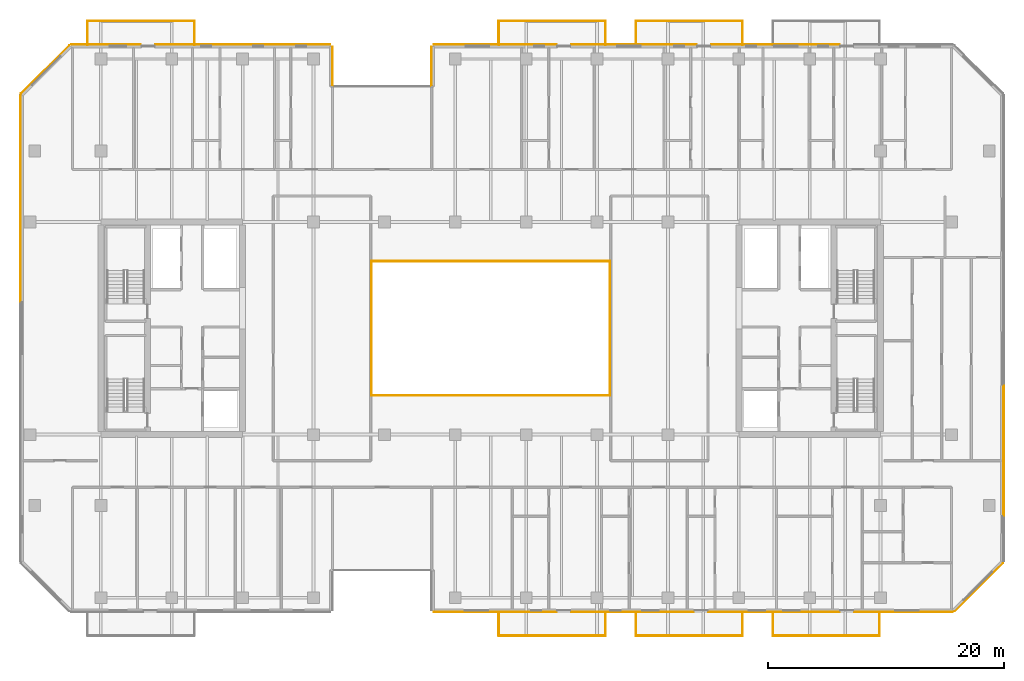
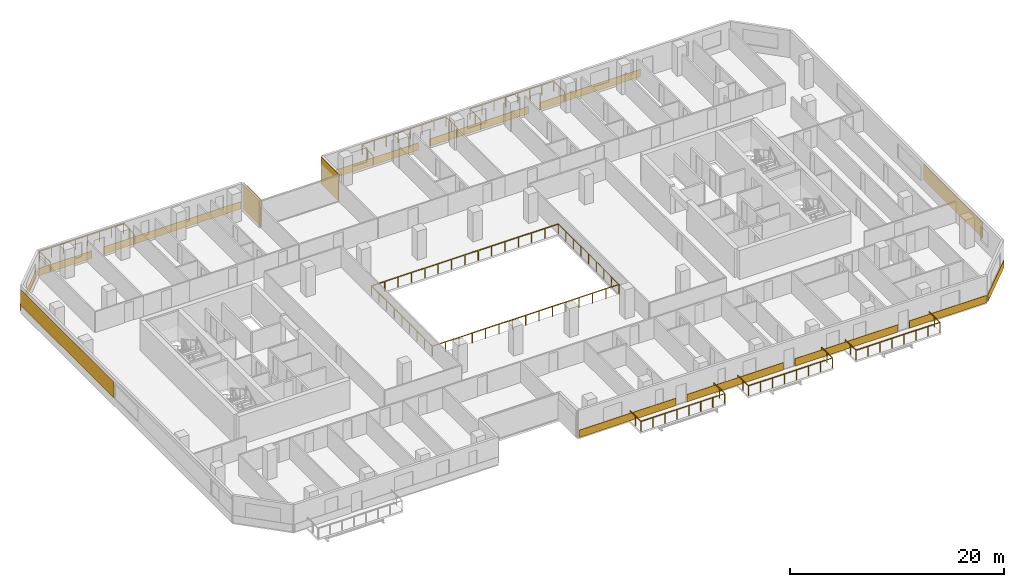
# One storey, part 21 of 23: 15 coverings, 8 railings.
"""IFC4 building model written with IfcOpenShell, lengths in metres."""

from ifc_helpers import new_model, si_unit, direction, frame, origin, origin_2d, place, context, subcontext, project, spatial, rectangle, extrude, material, layer, layer_set, type_object, element, save


model = new_model("IFC4")

# Units and contexts
model_context = context("Model", 3, precision=1e-05, world=origin(), true_north=direction((0.0, 1.0)))
body_context = subcontext(model_context, "Body", "Model", "MODEL_VIEW")
ifc_project = project(units=[si_unit("LENGTHUNIT", "METRE"), si_unit("AREAUNIT", "SQUARE_METRE"), si_unit("VOLUMEUNIT", "CUBIC_METRE"), si_unit("PLANEANGLEUNIT", "RADIAN"), si_unit("MASSUNIT", "GRAM", prefix="KILO")], contexts=[model_context])

# Site, building, storey
site_placement = place(None, origin())
site = spatial("IfcSite", under=ifc_project, at=site_placement, CompositionType="ELEMENT")
building_placement = place(site_placement, origin())
building = spatial("IfcBuilding", under=site, at=building_placement, Name="Tanjung Sevakor Pilgrim Tower", CompositionType="ELEMENT")
storey_placement = place(building_placement, frame((0.0, 0.0, 98.669921875)))
storey = spatial("IfcBuildingStorey", under=building, at=storey_placement, Name="L27", CompositionType="ELEMENT", Elevation=98.669921875)

# Coverings
ifc_material_1 = material(Name="Reconstructed Limestone Cladding", Category="masonry")
ifc_layer = layer(ifc_material_1, 0.044921875)
ifc_layer_set = layer_set([ifc_layer], Name="COV-CLAD-LIMESTONE")
covering_type = type_object("IfcCoveringType", Name="COV-CLAD-LIMESTONE", PredefinedType="CLADDING", material=ifc_layer_set)
covering_1_placement = place(storey_placement, frame((57.37744140625, 9.577392578125, 0.01025390625), z_axis=(0.0, 0.0, 1.0), x_axis=(1.0, 0.0, 0.0)))
element("IfcCovering", 1, at=covering_1_placement, inside=storey, type_object=covering_type, Name="L27 Warm Limestone Sill Spandrel EW-L27-MAIN-5-1", PredefinedType="CLADDING", context=body_context, shape_type="SweptSolid", body=[
    extrude(rectangle(XDim=10.425048828125, YDim=0.044921875, at=origin_2d()), origin(), (0.0, 0.0, 1.0), 0.840087890625),
])
covering_2_placement = place(storey_placement, frame((69.0, 9.577392578125, 0.01025390625), z_axis=(0.0, 0.0, 1.0), x_axis=(1.0, 0.0, 0.0)))
element("IfcCovering", 2, at=covering_2_placement, inside=storey, type_object=covering_type, Name="L27 Warm Limestone Sill Spandrel EW-L27-MAIN-5-2", PredefinedType="CLADDING", context=body_context, shape_type="SweptSolid", body=[
    extrude(rectangle(XDim=10.3798828125, YDim=0.044921875, at=origin_2d()), origin(), (0.0, 0.0, 1.0), 0.840087890625),
])
covering_3_placement = place(storey_placement, frame((80.97509765625, 9.577392578125, 0.01025390625), z_axis=(0.0, 0.0, 1.0), x_axis=(1.0, 0.0, 0.0)))
element("IfcCovering", 3, at=covering_3_placement, inside=storey, type_object=covering_type, Name="L27 Warm Limestone Sill Spandrel EW-L27-MAIN-5-3", PredefinedType="CLADDING", context=body_context, shape_type="SweptSolid", body=[
    extrude(rectangle(XDim=11.1298828125, YDim=0.044921875, at=origin_2d()), origin(), (0.0, 0.0, 1.0), 0.840087890625),
])
covering_4_placement = place(storey_placement, frame((91.93408203125, 9.577392578125, 0.01025390625), z_axis=(0.0, 0.0, 1.0), x_axis=(1.0, 0.0, 0.0)))
element("IfcCovering", 4, at=covering_4_placement, inside=storey, type_object=covering_type, Name="L27 Warm Limestone Sill Spandrel EW-L27-MAIN-5-4", PredefinedType="CLADDING", context=body_context, shape_type="SweptSolid", body=[
    extrude(rectangle(XDim=8.34814453125, YDim=0.044921875, at=origin_2d()), origin(), (0.0, 0.0, 1.0), 0.840087890625),
])
covering_5_placement = place(storey_placement, frame((98.31591796875, 11.68408203125, 0.01025390625), z_axis=(0.0, 0.0, 1.0), x_axis=(0.707106781187, 0.707106781187, 0.0)))
element("IfcCovering", 5, at=covering_5_placement, inside=storey, type_object=covering_type, Name="L27 Warm Limestone Sill Spandrel EW-CHM-L27-MAIN-5-1", PredefinedType="CLADDING", context=body_context, shape_type="SweptSolid", body=[
    extrude(rectangle(XDim=5.756103515625, YDim=0.044921875, at=origin_2d()), origin(), (0.0, 0.0, 1.0), 0.840087890625),
])
covering_6_placement = place(storey_placement, frame((100.422607421875, 23.258056640625, 0.85009765625), z_axis=(0.0, 0.0, 1.0), x_axis=(0.0, 1.0, 0.0)))
element("IfcCovering", 6, at=covering_6_placement, inside=storey, type_object=covering_type, Name="L27 Warm Limestone Pier Panel EW-L27-MAIN-7-1", PredefinedType="CLADDING", context=body_context, shape_type="SweptSolid", body=[
    extrude(rectangle(XDim=11.004150390625, YDim=0.044921875, at=origin_2d()), origin(), (0.0, 0.0, 1.0), 1.81005859375),
])
covering_7_placement = place(storey_placement, frame((81.10009765625, 57.62255859375, 0.01025390625), z_axis=(0.0, 0.0, 1.0), x_axis=(-1.0, 0.0, 0.0)))
element("IfcCovering", 7, at=covering_7_placement, inside=storey, type_object=covering_type, Name="L27 Warm Limestone Sill Spandrel EW-L27-MAIN-9-2", PredefinedType="CLADDING", context=body_context, shape_type="SweptSolid", body=[
    extrude(rectangle(XDim=10.8798828125, YDim=0.044921875, at=origin_2d()), origin(), (0.0, 0.0, 1.0), 0.840087890625),
])
covering_8_placement = place(storey_placement, frame((69.125, 57.62255859375, 0.01025390625), z_axis=(0.0, 0.0, 1.0), x_axis=(-1.0, 0.0, 0.0)))
element("IfcCovering", 8, at=covering_8_placement, inside=storey, type_object=covering_type, Name="L27 Warm Limestone Sill Spandrel EW-L27-MAIN-9-3", PredefinedType="CLADDING", context=body_context, shape_type="SweptSolid", body=[
    extrude(rectangle(XDim=10.6298828125, YDim=0.044921875, at=origin_2d()), origin(), (0.0, 0.0, 1.0), 0.840087890625),
])
covering_9_placement = place(storey_placement, frame((57.37744140625, 57.62255859375, 0.01025390625), z_axis=(0.0, 0.0, 1.0), x_axis=(-1.0, 0.0, 0.0)))
element("IfcCovering", 9, at=covering_9_placement, inside=storey, type_object=covering_type, Name="L27 Warm Limestone Sill Spandrel EW-L27-MAIN-9-4", PredefinedType="CLADDING", context=body_context, shape_type="SweptSolid", body=[
    extrude(rectangle(XDim=10.425048828125, YDim=0.044921875, at=origin_2d()), origin(), (0.0, 0.0, 1.0), 0.840087890625),
])
for number, where, z_axis, x_axis, name in (
    (10, (51.9775390625, 55.77490234375, 0.02001953125), (0.0, 0.0, 1.0), (0.0, -1.0, 0.0), "L27 Warm Limestone Wall Cladding EW-L27-MAIN-10"),
    (11, (43.62255859375, 55.77490234375, 0.02001953125), (0.0, 0.0, 1.0), (0.0, 1.0, 0.0), "L27 Warm Limestone Wall Cladding EW-L27-MAIN-12"),
):
    element("IfcCovering", number, at=place(storey_placement, frame(where, z_axis=z_axis, x_axis=x_axis)), inside=storey, type_object=covering_type, Name=name, PredefinedType="CLADDING", context=body_context, shape_type="SweptSolid", body=[
        extrude(rectangle(XDim=3.360107421875, YDim=0.044921875, at=origin_2d()), origin(), (0.0, 0.0, 1.0), 3.0400390625),
    ])
covering_10_placement = place(storey_placement, frame((36.0224609375, 57.62255859375, 0.01025390625), z_axis=(0.0, 0.0, 1.0), x_axis=(-1.0, 0.0, 0.0)))
element("IfcCovering", 12, at=covering_10_placement, inside=storey, type_object=covering_type, Name="L27 Warm Limestone Sill Spandrel EW-L27-MAIN-13-1", PredefinedType="CLADDING", context=body_context, shape_type="SweptSolid", body=[
    extrude(rectangle(XDim=14.824951171875, YDim=0.044921875, at=origin_2d()), origin(), (0.0, 0.0, 1.0), 0.840087890625),
])
covering_11_placement = place(storey_placement, frame((24.44091796875, 57.62255859375, 0.01025390625), z_axis=(0.0, 0.0, 1.0), x_axis=(-1.0, 0.0, 0.0)))
element("IfcCovering", 13, at=covering_11_placement, inside=storey, type_object=covering_type, Name="L27 Warm Limestone Sill Spandrel EW-L27-MAIN-13-2", PredefinedType="CLADDING", context=body_context, shape_type="SweptSolid", body=[
    extrude(rectangle(XDim=5.898193359375, YDim=0.044921875, at=origin_2d()), origin(), (0.0, 0.0, 1.0), 0.840087890625),
])
covering_12_placement = place(storey_placement, frame((19.2841796875, 55.515869140625, 0.01025390625), z_axis=(0.0, 0.0, 1.0), x_axis=(-0.707106781187, -0.707106781187, 0.0)))
element("IfcCovering", 14, at=covering_12_placement, inside=storey, type_object=covering_type, Name="L27 Warm Limestone Sill Spandrel EW-CHM-L27-MAIN-13-1", PredefinedType="CLADDING", context=body_context, shape_type="SweptSolid", body=[
    extrude(rectangle(XDim=5.756103515625, YDim=0.044921875, at=origin_2d()), origin(), (0.0, 0.0, 1.0), 0.840087890625),
])
covering_13_placement = place(storey_placement, frame((17.177490234375, 44.5791015625, 0.85009765625), z_axis=(0.0, 0.0, 1.0), x_axis=(0.0, -1.0, 0.0)))
element("IfcCovering", 15, at=covering_13_placement, inside=storey, type_object=covering_type, Name="L27 Warm Limestone Pier Panel EW-L27-MAIN-15-1", PredefinedType="CLADDING", context=body_context, shape_type="SweptSolid", body=[
    extrude(rectangle(XDim=17.458251953125, YDim=0.044921875, at=origin_2d()), origin(), (0.0, 0.0, 1.0), 1.81005859375),
])

# Railings
ifc_material_2 = material(Name="Laminated Glass and Aluminium", Category="aluminium")
railing_type = type_object("IfcRailingType", Name="RL-BAL-BALUST", PredefinedType="BALUSTRADE", material=ifc_material_2)
railing_1_placement = place(storey_placement, frame((46.919921875, 27.919921875, 0.0)))
element("IfcRailing", 16, at=railing_1_placement, inside=storey, type_object=railing_type, Name="L27 Void Opening Balustrade 1A", PredefinedType="BALUSTRADE", context=body_context, shape_type="SweptSolid", body=[
    extrude(rectangle(XDim=0.0479, YDim=0.0479), frame((0.0, 0.0, 1.1259765625), z_axis=(1.0, 0.0, 0.0), x_axis=(0.0, 1.0, 0.0)), (0.0, 0.0, 1.0), 20.16015625),
    extrude(rectangle(XDim=0.0479, YDim=0.0479), frame((20.16015625, 0.0, 1.1259765625), z_axis=(0.0, 1.0, 0.0), x_axis=(-1.0, 0.0, 0.0)), (0.0, 0.0, 1.0), 11.360107421875),
    extrude(rectangle(XDim=0.042, YDim=0.042), origin(), (0.0, 0.0, 1.0), 1.101806640625),
    extrude(rectangle(XDim=0.042, YDim=0.042), frame((1.43994140625, 0.0, 0.0)), (0.0, 0.0, 1.0), 1.101806640625),
    extrude(rectangle(XDim=0.042, YDim=0.042), frame((2.880126953125, 0.0, 0.0)), (0.0, 0.0, 1.0), 1.101806640625),
    extrude(rectangle(XDim=0.042, YDim=0.042), frame((4.320068359375, 0.0, 0.0)), (0.0, 0.0, 1.0), 1.101806640625),
    extrude(rectangle(XDim=0.042, YDim=0.042), frame((5.760009765625, 0.0, 0.0)), (0.0, 0.0, 1.0), 1.101806640625),
    extrude(rectangle(XDim=0.042, YDim=0.042), frame((7.199951171875, 0.0, 0.0)), (0.0, 0.0, 1.0), 1.101806640625),
    extrude(rectangle(XDim=0.042, YDim=0.042), frame((8.64013671875, 0.0, 0.0)), (0.0, 0.0, 1.0), 1.101806640625),
    extrude(rectangle(XDim=0.042, YDim=0.042), frame((10.080078125, 0.0, 0.0)), (0.0, 0.0, 1.0), 1.101806640625),
    extrude(rectangle(XDim=0.042, YDim=0.042), frame((11.52001953125, 0.0, 0.0)), (0.0, 0.0, 1.0), 1.101806640625),
    extrude(rectangle(XDim=0.042, YDim=0.042), frame((12.960205078125, 0.0, 0.0)), (0.0, 0.0, 1.0), 1.101806640625),
    extrude(rectangle(XDim=0.042, YDim=0.042), frame((14.400146484375, 0.0, 0.0)), (0.0, 0.0, 1.0), 1.101806640625),
    extrude(rectangle(XDim=0.042, YDim=0.042), frame((15.840087890625, 0.0, 0.0)), (0.0, 0.0, 1.0), 1.101806640625),
    extrude(rectangle(XDim=0.042, YDim=0.042), frame((17.280029296875, 0.0, 0.0)), (0.0, 0.0, 1.0), 1.101806640625),
    extrude(rectangle(XDim=0.042, YDim=0.042), frame((18.72021484375, 0.0, 0.0)), (0.0, 0.0, 1.0), 1.101806640625),
    extrude(rectangle(XDim=0.042, YDim=0.042), frame((20.16015625, 0.0, 0.0)), (0.0, 0.0, 1.0), 1.101806640625),
    extrude(rectangle(XDim=0.042, YDim=0.042), frame((20.16015625, 1.419921875, 0.0)), (0.0, 0.0, 1.0), 1.101806640625),
    extrude(rectangle(XDim=0.042, YDim=0.042), frame((20.16015625, 2.840087890625, 0.0)), (0.0, 0.0, 1.0), 1.101806640625),
    extrude(rectangle(XDim=0.042, YDim=0.042), frame((20.16015625, 4.260009765625, 0.0)), (0.0, 0.0, 1.0), 1.101806640625),
    extrude(rectangle(XDim=0.042, YDim=0.042), frame((20.16015625, 5.68017578125, 0.0)), (0.0, 0.0, 1.0), 1.101806640625),
    extrude(rectangle(XDim=0.042, YDim=0.042), frame((20.16015625, 7.10009765625, 0.0)), (0.0, 0.0, 1.0), 1.101806640625),
    extrude(rectangle(XDim=0.042, YDim=0.042), frame((20.16015625, 8.52001953125, 0.0)), (0.0, 0.0, 1.0), 1.101806640625),
    extrude(rectangle(XDim=0.042, YDim=0.042), frame((20.16015625, 9.940185546875, 0.0)), (0.0, 0.0, 1.0), 1.101806640625),
    extrude(rectangle(XDim=0.042, YDim=0.042), frame((20.16015625, 11.360107421875, 0.0)), (0.0, 0.0, 1.0), 1.101806640625),
])
railing_2_placement = place(storey_placement, frame((67.080078125, 39.280029296875, 0.0)))
element("IfcRailing", 17, at=railing_2_placement, inside=storey, type_object=railing_type, Name="L27 Void Opening Balustrade 1B", PredefinedType="BALUSTRADE", context=body_context, shape_type="SweptSolid", body=[
    extrude(rectangle(XDim=0.0479, YDim=0.0479), frame((0.0, 0.0, 1.1259765625), z_axis=(-1.0, 0.0, 0.0), x_axis=(0.0, -1.0, 0.0)), (0.0, 0.0, 1.0), 20.16015625),
    extrude(rectangle(XDim=0.0479, YDim=0.0479), frame((-20.16015625, 0.0, 1.1259765625), z_axis=(0.0, -1.0, 0.0), x_axis=(1.0, 0.0, 0.0)), (0.0, 0.0, 1.0), 11.360107421875),
    extrude(rectangle(XDim=0.042, YDim=0.042), origin(), (0.0, 0.0, 1.0), 1.101806640625),
    extrude(rectangle(XDim=0.042, YDim=0.042), frame((-1.43994140625, 0.0, 0.0)), (0.0, 0.0, 1.0), 1.101806640625),
    extrude(rectangle(XDim=0.042, YDim=0.042), frame((-2.880126953125, 0.0, 0.0)), (0.0, 0.0, 1.0), 1.101806640625),
    extrude(rectangle(XDim=0.042, YDim=0.042), frame((-4.320068359375, 0.0, 0.0)), (0.0, 0.0, 1.0), 1.101806640625),
    extrude(rectangle(XDim=0.042, YDim=0.042), frame((-5.760009765625, 0.0, 0.0)), (0.0, 0.0, 1.0), 1.101806640625),
    extrude(rectangle(XDim=0.042, YDim=0.042), frame((-7.199951171875, 0.0, 0.0)), (0.0, 0.0, 1.0), 1.101806640625),
    extrude(rectangle(XDim=0.042, YDim=0.042), frame((-8.64013671875, 0.0, 0.0)), (0.0, 0.0, 1.0), 1.101806640625),
    extrude(rectangle(XDim=0.042, YDim=0.042), frame((-10.080078125, 0.0, 0.0)), (0.0, 0.0, 1.0), 1.101806640625),
    extrude(rectangle(XDim=0.042, YDim=0.042), frame((-11.52001953125, 0.0, 0.0)), (0.0, 0.0, 1.0), 1.101806640625),
    extrude(rectangle(XDim=0.042, YDim=0.042), frame((-12.960205078125, 0.0, 0.0)), (0.0, 0.0, 1.0), 1.101806640625),
    extrude(rectangle(XDim=0.042, YDim=0.042), frame((-14.400146484375, 0.0, 0.0)), (0.0, 0.0, 1.0), 1.101806640625),
    extrude(rectangle(XDim=0.042, YDim=0.042), frame((-15.840087890625, 0.0, 0.0)), (0.0, 0.0, 1.0), 1.101806640625),
    extrude(rectangle(XDim=0.042, YDim=0.042), frame((-17.280029296875, 0.0, 0.0)), (0.0, 0.0, 1.0), 1.101806640625),
    extrude(rectangle(XDim=0.042, YDim=0.042), frame((-18.72021484375, 0.0, 0.0)), (0.0, 0.0, 1.0), 1.101806640625),
    extrude(rectangle(XDim=0.042, YDim=0.042), frame((-20.16015625, 0.0, 0.0)), (0.0, 0.0, 1.0), 1.101806640625),
    extrude(rectangle(XDim=0.042, YDim=0.042), frame((-20.16015625, -1.419921875, 0.0)), (0.0, 0.0, 1.0), 1.101806640625),
    extrude(rectangle(XDim=0.042, YDim=0.042), frame((-20.16015625, -2.840087890625, 0.0)), (0.0, 0.0, 1.0), 1.101806640625),
    extrude(rectangle(XDim=0.042, YDim=0.042), frame((-20.16015625, -4.260009765625, 0.0)), (0.0, 0.0, 1.0), 1.101806640625),
    extrude(rectangle(XDim=0.042, YDim=0.042), frame((-20.16015625, -5.68017578125, 0.0)), (0.0, 0.0, 1.0), 1.101806640625),
    extrude(rectangle(XDim=0.042, YDim=0.042), frame((-20.16015625, -7.10009765625, 0.0)), (0.0, 0.0, 1.0), 1.101806640625),
    extrude(rectangle(XDim=0.042, YDim=0.042), frame((-20.16015625, -8.52001953125, 0.0)), (0.0, 0.0, 1.0), 1.101806640625),
    extrude(rectangle(XDim=0.042, YDim=0.042), frame((-20.16015625, -9.940185546875, 0.0)), (0.0, 0.0, 1.0), 1.101806640625),
    extrude(rectangle(XDim=0.042, YDim=0.042), frame((-20.16015625, -11.360107421875, 0.0)), (0.0, 0.0, 1.0), 1.101806640625),
])
railing_3_placement = place(storey_placement, frame((22.8798828125, 57.60009765625, 0.0)))
element("IfcRailing", 18, at=railing_3_placement, inside=storey, type_object=railing_type, Name="L27 Loggia Balustrade MAIN-N1", PredefinedType="BALUSTRADE", context=body_context, shape_type="SweptSolid", body=[
    extrude(rectangle(XDim=0.0479, YDim=0.0479), frame((0.0, 0.0, 1.1259765625), z_axis=(0.0, 1.0, 0.0), x_axis=(-1.0, 0.0, 0.0)), (0.0, 0.0, 1.0), 2.02001953125),
    extrude(rectangle(XDim=0.0479, YDim=0.0479), frame((0.0, 2.02001953125, 1.1259765625), z_axis=(1.0, 0.0, 0.0), x_axis=(0.0, 1.0, 0.0)), (0.0, 0.0, 1.0), 9.0400390625),
    extrude(rectangle(XDim=0.0479, YDim=0.0479), frame((9.0400390625, 2.02001953125, 1.1259765625), z_axis=(0.0, -1.0, 0.0), x_axis=(1.0, 0.0, 0.0)), (0.0, 0.0, 1.0), 2.02001953125),
    extrude(rectangle(XDim=0.042, YDim=0.042), origin(), (0.0, 0.0, 1.0), 1.101806640625),
    extrude(rectangle(XDim=0.042, YDim=0.042), frame((0.0, 1.010009765625, 0.0)), (0.0, 0.0, 1.0), 1.101806640625),
    extrude(rectangle(XDim=0.042, YDim=0.042), frame((0.0, 2.02001953125, 0.0)), (0.0, 0.0, 1.0), 1.101806640625),
    extrude(rectangle(XDim=0.042, YDim=0.042), frame((1.29150390625, 2.02001953125, 0.0)), (0.0, 0.0, 1.0), 1.101806640625),
    extrude(rectangle(XDim=0.042, YDim=0.042), frame((2.582763671875, 2.02001953125, 0.0)), (0.0, 0.0, 1.0), 1.101806640625),
    extrude(rectangle(XDim=0.042, YDim=0.042), frame((3.874267578125, 2.02001953125, 0.0)), (0.0, 0.0, 1.0), 1.101806640625),
    extrude(rectangle(XDim=0.042, YDim=0.042), frame((5.165771484375, 2.02001953125, 0.0)), (0.0, 0.0, 1.0), 1.101806640625),
    extrude(rectangle(XDim=0.042, YDim=0.042), frame((6.457275390625, 2.02001953125, 0.0)), (0.0, 0.0, 1.0), 1.101806640625),
    extrude(rectangle(XDim=0.042, YDim=0.042), frame((7.74853515625, 2.02001953125, 0.0)), (0.0, 0.0, 1.0), 1.101806640625),
    extrude(rectangle(XDim=0.042, YDim=0.042), frame((9.0400390625, 2.02001953125, 0.0)), (0.0, 0.0, 1.0), 1.101806640625),
    extrude(rectangle(XDim=0.042, YDim=0.042), frame((9.0400390625, 1.010009765625, 0.0)), (0.0, 0.0, 1.0), 1.101806640625),
    extrude(rectangle(XDim=0.042, YDim=0.042), frame((9.0400390625, 0.0, 0.0)), (0.0, 0.0, 1.0), 1.101806640625),
])
railing_4_placement = place(storey_placement, frame((57.679931640625, 9.60009765625, 0.0)))
element("IfcRailing", 19, at=railing_4_placement, inside=storey, type_object=railing_type, Name="L27 Loggia Balustrade MAIN-S2", PredefinedType="BALUSTRADE", context=body_context, shape_type="SweptSolid", body=[
    extrude(rectangle(XDim=0.0479, YDim=0.0479), frame((0.0, 0.0, 1.1259765625), z_axis=(0.0, -1.0, 0.0), x_axis=(1.0, 0.0, 0.0)), (0.0, 0.0, 1.0), 2.02001953125),
    extrude(rectangle(XDim=0.0479, YDim=0.0479), frame((0.0, -2.02001953125, 1.1259765625), z_axis=(1.0, 0.0, 0.0), x_axis=(0.0, 1.0, 0.0)), (0.0, 0.0, 1.0), 9.0400390625),
    extrude(rectangle(XDim=0.0479, YDim=0.0479), frame((9.0400390625, -2.02001953125, 1.1259765625), z_axis=(0.0, 1.0, 0.0), x_axis=(-1.0, 0.0, 0.0)), (0.0, 0.0, 1.0), 2.02001953125),
    extrude(rectangle(XDim=0.042, YDim=0.042), origin(), (0.0, 0.0, 1.0), 1.101806640625),
    extrude(rectangle(XDim=0.042, YDim=0.042), frame((0.0, -1.010009765625, 0.0)), (0.0, 0.0, 1.0), 1.101806640625),
    extrude(rectangle(XDim=0.042, YDim=0.042), frame((0.0, -2.02001953125, 0.0)), (0.0, 0.0, 1.0), 1.101806640625),
    extrude(rectangle(XDim=0.042, YDim=0.042), frame((1.29150390625, -2.02001953125, 0.0)), (0.0, 0.0, 1.0), 1.101806640625),
    extrude(rectangle(XDim=0.042, YDim=0.042), frame((2.582763671875, -2.02001953125, 0.0)), (0.0, 0.0, 1.0), 1.101806640625),
    extrude(rectangle(XDim=0.042, YDim=0.042), frame((3.874267578125, -2.02001953125, 0.0)), (0.0, 0.0, 1.0), 1.101806640625),
    extrude(rectangle(XDim=0.042, YDim=0.042), frame((5.165771484375, -2.02001953125, 0.0)), (0.0, 0.0, 1.0), 1.101806640625),
    extrude(rectangle(XDim=0.042, YDim=0.042), frame((6.457275390625, -2.02001953125, 0.0)), (0.0, 0.0, 1.0), 1.101806640625),
    extrude(rectangle(XDim=0.042, YDim=0.042), frame((7.74853515625, -2.02001953125, 0.0)), (0.0, 0.0, 1.0), 1.101806640625),
    extrude(rectangle(XDim=0.042, YDim=0.042), frame((9.0400390625, -2.02001953125, 0.0)), (0.0, 0.0, 1.0), 1.101806640625),
    extrude(rectangle(XDim=0.042, YDim=0.042), frame((9.0400390625, -1.010009765625, 0.0)), (0.0, 0.0, 1.0), 1.101806640625),
    extrude(rectangle(XDim=0.042, YDim=0.042), frame((9.0400390625, 0.0, 0.0)), (0.0, 0.0, 1.0), 1.101806640625),
])
railing_5_placement = place(storey_placement, frame((57.679931640625, 57.60009765625, 0.0)))
element("IfcRailing", 20, at=railing_5_placement, inside=storey, type_object=railing_type, Name="L27 Loggia Balustrade MAIN-N2", PredefinedType="BALUSTRADE", context=body_context, shape_type="SweptSolid", body=[
    extrude(rectangle(XDim=0.0479, YDim=0.0479), frame((0.0, 0.0, 1.1259765625), z_axis=(0.0, 1.0, 0.0), x_axis=(-1.0, 0.0, 0.0)), (0.0, 0.0, 1.0), 2.02001953125),
    extrude(rectangle(XDim=0.0479, YDim=0.0479), frame((0.0, 2.02001953125, 1.1259765625), z_axis=(1.0, 0.0, 0.0), x_axis=(0.0, 1.0, 0.0)), (0.0, 0.0, 1.0), 9.0400390625),
    extrude(rectangle(XDim=0.0479, YDim=0.0479), frame((9.0400390625, 2.02001953125, 1.1259765625), z_axis=(0.0, -1.0, 0.0), x_axis=(1.0, 0.0, 0.0)), (0.0, 0.0, 1.0), 2.02001953125),
    extrude(rectangle(XDim=0.042, YDim=0.042), origin(), (0.0, 0.0, 1.0), 1.101806640625),
    extrude(rectangle(XDim=0.042, YDim=0.042), frame((0.0, 1.010009765625, 0.0)), (0.0, 0.0, 1.0), 1.101806640625),
    extrude(rectangle(XDim=0.042, YDim=0.042), frame((0.0, 2.02001953125, 0.0)), (0.0, 0.0, 1.0), 1.101806640625),
    extrude(rectangle(XDim=0.042, YDim=0.042), frame((1.29150390625, 2.02001953125, 0.0)), (0.0, 0.0, 1.0), 1.101806640625),
    extrude(rectangle(XDim=0.042, YDim=0.042), frame((2.582763671875, 2.02001953125, 0.0)), (0.0, 0.0, 1.0), 1.101806640625),
    extrude(rectangle(XDim=0.042, YDim=0.042), frame((3.874267578125, 2.02001953125, 0.0)), (0.0, 0.0, 1.0), 1.101806640625),
    extrude(rectangle(XDim=0.042, YDim=0.042), frame((5.165771484375, 2.02001953125, 0.0)), (0.0, 0.0, 1.0), 1.101806640625),
    extrude(rectangle(XDim=0.042, YDim=0.042), frame((6.457275390625, 2.02001953125, 0.0)), (0.0, 0.0, 1.0), 1.101806640625),
    extrude(rectangle(XDim=0.042, YDim=0.042), frame((7.74853515625, 2.02001953125, 0.0)), (0.0, 0.0, 1.0), 1.101806640625),
    extrude(rectangle(XDim=0.042, YDim=0.042), frame((9.0400390625, 2.02001953125, 0.0)), (0.0, 0.0, 1.0), 1.101806640625),
    extrude(rectangle(XDim=0.042, YDim=0.042), frame((9.0400390625, 1.010009765625, 0.0)), (0.0, 0.0, 1.0), 1.101806640625),
    extrude(rectangle(XDim=0.042, YDim=0.042), frame((9.0400390625, 0.0, 0.0)), (0.0, 0.0, 1.0), 1.101806640625),
])
railing_6_placement = place(storey_placement, frame((69.280029296875, 9.60009765625, 0.0)))
element("IfcRailing", 21, at=railing_6_placement, inside=storey, type_object=railing_type, Name="L27 Loggia Balustrade MAIN-S3", PredefinedType="BALUSTRADE", context=body_context, shape_type="SweptSolid", body=[
    extrude(rectangle(XDim=0.0479, YDim=0.0479), frame((0.0, 0.0, 1.1259765625), z_axis=(0.0, -1.0, 0.0), x_axis=(1.0, 0.0, 0.0)), (0.0, 0.0, 1.0), 2.02001953125),
    extrude(rectangle(XDim=0.0479, YDim=0.0479), frame((0.0, -2.02001953125, 1.1259765625), z_axis=(1.0, 0.0, 0.0), x_axis=(0.0, 1.0, 0.0)), (0.0, 0.0, 1.0), 9.0400390625),
    extrude(rectangle(XDim=0.0479, YDim=0.0479), frame((9.0400390625, -2.02001953125, 1.1259765625), z_axis=(0.0, 1.0, 0.0), x_axis=(-1.0, 0.0, 0.0)), (0.0, 0.0, 1.0), 2.02001953125),
    extrude(rectangle(XDim=0.042, YDim=0.042), origin(), (0.0, 0.0, 1.0), 1.101806640625),
    extrude(rectangle(XDim=0.042, YDim=0.042), frame((0.0, -1.010009765625, 0.0)), (0.0, 0.0, 1.0), 1.101806640625),
    extrude(rectangle(XDim=0.042, YDim=0.042), frame((0.0, -2.02001953125, 0.0)), (0.0, 0.0, 1.0), 1.101806640625),
    extrude(rectangle(XDim=0.042, YDim=0.042), frame((1.29150390625, -2.02001953125, 0.0)), (0.0, 0.0, 1.0), 1.101806640625),
    extrude(rectangle(XDim=0.042, YDim=0.042), frame((2.582763671875, -2.02001953125, 0.0)), (0.0, 0.0, 1.0), 1.101806640625),
    extrude(rectangle(XDim=0.042, YDim=0.042), frame((3.874267578125, -2.02001953125, 0.0)), (0.0, 0.0, 1.0), 1.101806640625),
    extrude(rectangle(XDim=0.042, YDim=0.042), frame((5.165771484375, -2.02001953125, 0.0)), (0.0, 0.0, 1.0), 1.101806640625),
    extrude(rectangle(XDim=0.042, YDim=0.042), frame((6.457275390625, -2.02001953125, 0.0)), (0.0, 0.0, 1.0), 1.101806640625),
    extrude(rectangle(XDim=0.042, YDim=0.042), frame((7.74853515625, -2.02001953125, 0.0)), (0.0, 0.0, 1.0), 1.101806640625),
    extrude(rectangle(XDim=0.042, YDim=0.042), frame((9.0400390625, -2.02001953125, 0.0)), (0.0, 0.0, 1.0), 1.101806640625),
    extrude(rectangle(XDim=0.042, YDim=0.042), frame((9.0400390625, -1.010009765625, 0.0)), (0.0, 0.0, 1.0), 1.101806640625),
    extrude(rectangle(XDim=0.042, YDim=0.042), frame((9.0400390625, 0.0, 0.0)), (0.0, 0.0, 1.0), 1.101806640625),
])
railing_7_placement = place(storey_placement, frame((69.280029296875, 57.60009765625, 0.0)))
element("IfcRailing", 22, at=railing_7_placement, inside=storey, type_object=railing_type, Name="L27 Loggia Balustrade MAIN-N3", PredefinedType="BALUSTRADE", context=body_context, shape_type="SweptSolid", body=[
    extrude(rectangle(XDim=0.0479, YDim=0.0479), frame((0.0, 0.0, 1.1259765625), z_axis=(0.0, 1.0, 0.0), x_axis=(-1.0, 0.0, 0.0)), (0.0, 0.0, 1.0), 2.02001953125),
    extrude(rectangle(XDim=0.0479, YDim=0.0479), frame((0.0, 2.02001953125, 1.1259765625), z_axis=(1.0, 0.0, 0.0), x_axis=(0.0, 1.0, 0.0)), (0.0, 0.0, 1.0), 9.0400390625),
    extrude(rectangle(XDim=0.0479, YDim=0.0479), frame((9.0400390625, 2.02001953125, 1.1259765625), z_axis=(0.0, -1.0, 0.0), x_axis=(1.0, 0.0, 0.0)), (0.0, 0.0, 1.0), 2.02001953125),
    extrude(rectangle(XDim=0.042, YDim=0.042), origin(), (0.0, 0.0, 1.0), 1.101806640625),
    extrude(rectangle(XDim=0.042, YDim=0.042), frame((0.0, 1.010009765625, 0.0)), (0.0, 0.0, 1.0), 1.101806640625),
    extrude(rectangle(XDim=0.042, YDim=0.042), frame((0.0, 2.02001953125, 0.0)), (0.0, 0.0, 1.0), 1.101806640625),
    extrude(rectangle(XDim=0.042, YDim=0.042), frame((1.29150390625, 2.02001953125, 0.0)), (0.0, 0.0, 1.0), 1.101806640625),
    extrude(rectangle(XDim=0.042, YDim=0.042), frame((2.582763671875, 2.02001953125, 0.0)), (0.0, 0.0, 1.0), 1.101806640625),
    extrude(rectangle(XDim=0.042, YDim=0.042), frame((3.874267578125, 2.02001953125, 0.0)), (0.0, 0.0, 1.0), 1.101806640625),
    extrude(rectangle(XDim=0.042, YDim=0.042), frame((5.165771484375, 2.02001953125, 0.0)), (0.0, 0.0, 1.0), 1.101806640625),
    extrude(rectangle(XDim=0.042, YDim=0.042), frame((6.457275390625, 2.02001953125, 0.0)), (0.0, 0.0, 1.0), 1.101806640625),
    extrude(rectangle(XDim=0.042, YDim=0.042), frame((7.74853515625, 2.02001953125, 0.0)), (0.0, 0.0, 1.0), 1.101806640625),
    extrude(rectangle(XDim=0.042, YDim=0.042), frame((9.0400390625, 2.02001953125, 0.0)), (0.0, 0.0, 1.0), 1.101806640625),
    extrude(rectangle(XDim=0.042, YDim=0.042), frame((9.0400390625, 1.010009765625, 0.0)), (0.0, 0.0, 1.0), 1.101806640625),
    extrude(rectangle(XDim=0.042, YDim=0.042), frame((9.0400390625, 0.0, 0.0)), (0.0, 0.0, 1.0), 1.101806640625),
])
railing_8_placement = place(storey_placement, frame((80.8798828125, 9.60009765625, 0.0)))
element("IfcRailing", 23, at=railing_8_placement, inside=storey, type_object=railing_type, Name="L27 Loggia Balustrade MAIN-S4", PredefinedType="BALUSTRADE", context=body_context, shape_type="SweptSolid", body=[
    extrude(rectangle(XDim=0.0479, YDim=0.0479), frame((0.0, 0.0, 1.1259765625), z_axis=(0.0, -1.0, 0.0), x_axis=(1.0, 0.0, 0.0)), (0.0, 0.0, 1.0), 2.02001953125),
    extrude(rectangle(XDim=0.0479, YDim=0.0479), frame((0.0, -2.02001953125, 1.1259765625), z_axis=(1.0, 0.0, 0.0), x_axis=(0.0, 1.0, 0.0)), (0.0, 0.0, 1.0), 9.0400390625),
    extrude(rectangle(XDim=0.0479, YDim=0.0479), frame((9.0400390625, -2.02001953125, 1.1259765625), z_axis=(0.0, 1.0, 0.0), x_axis=(-1.0, 0.0, 0.0)), (0.0, 0.0, 1.0), 2.02001953125),
    extrude(rectangle(XDim=0.042, YDim=0.042), origin(), (0.0, 0.0, 1.0), 1.101806640625),
    extrude(rectangle(XDim=0.042, YDim=0.042), frame((0.0, -1.010009765625, 0.0)), (0.0, 0.0, 1.0), 1.101806640625),
    extrude(rectangle(XDim=0.042, YDim=0.042), frame((0.0, -2.02001953125, 0.0)), (0.0, 0.0, 1.0), 1.101806640625),
    extrude(rectangle(XDim=0.042, YDim=0.042), frame((1.29150390625, -2.02001953125, 0.0)), (0.0, 0.0, 1.0), 1.101806640625),
    extrude(rectangle(XDim=0.042, YDim=0.042), frame((2.582763671875, -2.02001953125, 0.0)), (0.0, 0.0, 1.0), 1.101806640625),
    extrude(rectangle(XDim=0.042, YDim=0.042), frame((3.874267578125, -2.02001953125, 0.0)), (0.0, 0.0, 1.0), 1.101806640625),
    extrude(rectangle(XDim=0.042, YDim=0.042), frame((5.165771484375, -2.02001953125, 0.0)), (0.0, 0.0, 1.0), 1.101806640625),
    extrude(rectangle(XDim=0.042, YDim=0.042), frame((6.457275390625, -2.02001953125, 0.0)), (0.0, 0.0, 1.0), 1.101806640625),
    extrude(rectangle(XDim=0.042, YDim=0.042), frame((7.74853515625, -2.02001953125, 0.0)), (0.0, 0.0, 1.0), 1.101806640625),
    extrude(rectangle(XDim=0.042, YDim=0.042), frame((9.0400390625, -2.02001953125, 0.0)), (0.0, 0.0, 1.0), 1.101806640625),
    extrude(rectangle(XDim=0.042, YDim=0.042), frame((9.0400390625, -1.010009765625, 0.0)), (0.0, 0.0, 1.0), 1.101806640625),
    extrude(rectangle(XDim=0.042, YDim=0.042), frame((9.0400390625, 0.0, 0.0)), (0.0, 0.0, 1.0), 1.101806640625),
])

save(model, "model.ifc")
